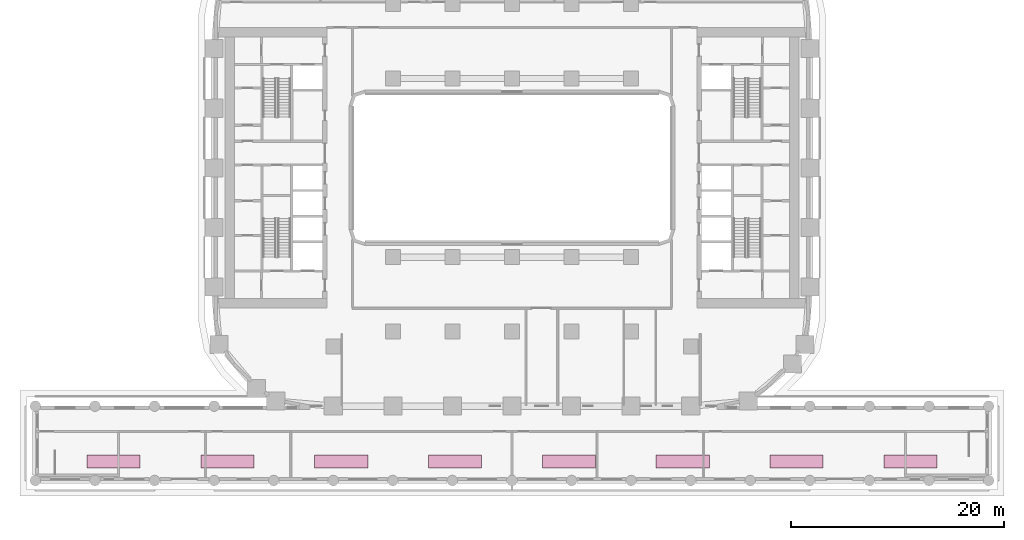
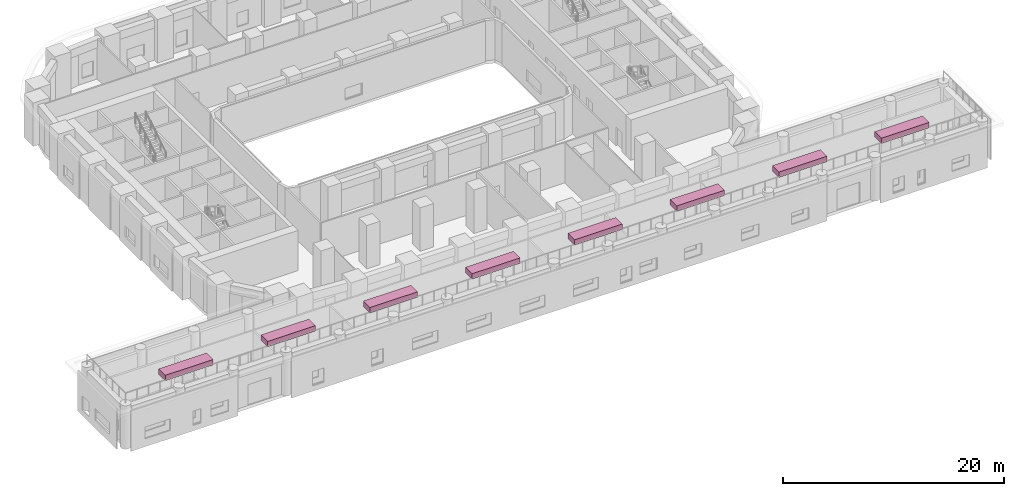
# One storey, part 13 of 13: 8 furnishings.
"""IFC4 building model written with IfcOpenShell, lengths in metres."""

from ifc_helpers import new_model, si_unit, direction, frame, origin, origin_2d, place, context, subcontext, project, spatial, rectangle, extrude, material, type_object, element, save


model = new_model("IFC4")

# Units and contexts
model_context = context("Model", 3, precision=1e-05, world=origin(), true_north=direction((0.0, 1.0)))
body_context = subcontext(model_context, "Body", "Model", "MODEL_VIEW")
ifc_project = project(units=[si_unit("LENGTHUNIT", "METRE"), si_unit("AREAUNIT", "SQUARE_METRE"), si_unit("VOLUMEUNIT", "CUBIC_METRE"), si_unit("PLANEANGLEUNIT", "RADIAN"), si_unit("MASSUNIT", "GRAM", prefix="KILO")], contexts=[model_context])

# Site, building, storey
site_placement = place(None, origin())
site = spatial("IfcSite", under=ifc_project, at=site_placement, CompositionType="ELEMENT")
building_placement = place(site_placement, origin())
building = spatial("IfcBuilding", under=site, at=building_placement, Name="Kiln Ring Residences", CompositionType="ELEMENT")
storey_placement = place(building_placement, frame((0.0, 0.0, 25.699951171875)))
storey = spatial("IfcBuildingStorey", under=building, at=storey_placement, Name="L05", CompositionType="ELEMENT", Elevation=25.699951171875)

# Furnishings
ifc_material = material(Name="Brick masonry, dark clay brick", Category="masonry")
furnishing_element_type = type_object("IfcFurnishingElementType", Name="PLANTER 1200 x 600", material=ifc_material)
for number, where, z_axis, x_axis, name in (
    (1, (-37.449951171875, -27.60009765625, 4.800048828125), (0.0, 0.0, 1.0), (1.0, 0.0, 0.0), "PLANTER L05 1"),
    (2, (-26.75, -27.60009765625, 4.800048828125), (0.0, 0.0, 1.0), (1.0, 0.0, 0.0), "PLANTER L05 2"),
    (3, (-16.050048828125, -27.60009765625, 4.800048828125), (0.0, 0.0, 1.0), (1.0, 0.0, 0.0), "PLANTER L05 3"),
    (4, (-5.35009765625, -27.60009765625, 4.800048828125), (0.0, 0.0, 1.0), (1.0, 0.0, 0.0), "PLANTER L05 4"),
    (5, (5.35009765625, -27.60009765625, 4.800048828125), (0.0, 0.0, 1.0), (1.0, 0.0, 0.0), "PLANTER L05 5"),
    (6, (16.050048828125, -27.60009765625, 4.800048828125), (0.0, 0.0, 1.0), (1.0, 0.0, 0.0), "PLANTER L05 6"),
    (7, (26.75, -27.60009765625, 4.800048828125), (0.0, 0.0, 1.0), (1.0, 0.0, 0.0), "PLANTER L05 7"),
    (8, (37.449951171875, -27.60009765625, 4.800048828125), (0.0, 0.0, 1.0), (1.0, 0.0, 0.0), "PLANTER L05 8"),
):
    element("IfcFurnishingElement", number, at=place(storey_placement, frame(where, z_axis=z_axis, x_axis=x_axis)), inside=storey, type_object=furnishing_element_type, Name=name, ObjectType="PLANTER", context=body_context, shape_type="SweptSolid", body=[
        extrude(rectangle(XDim=5.0, YDim=1.199951171875, at=origin_2d()), origin(), (0.0, 0.0, 1.0), 0.60009765625),
    ])

save(model, "model.ifc")
